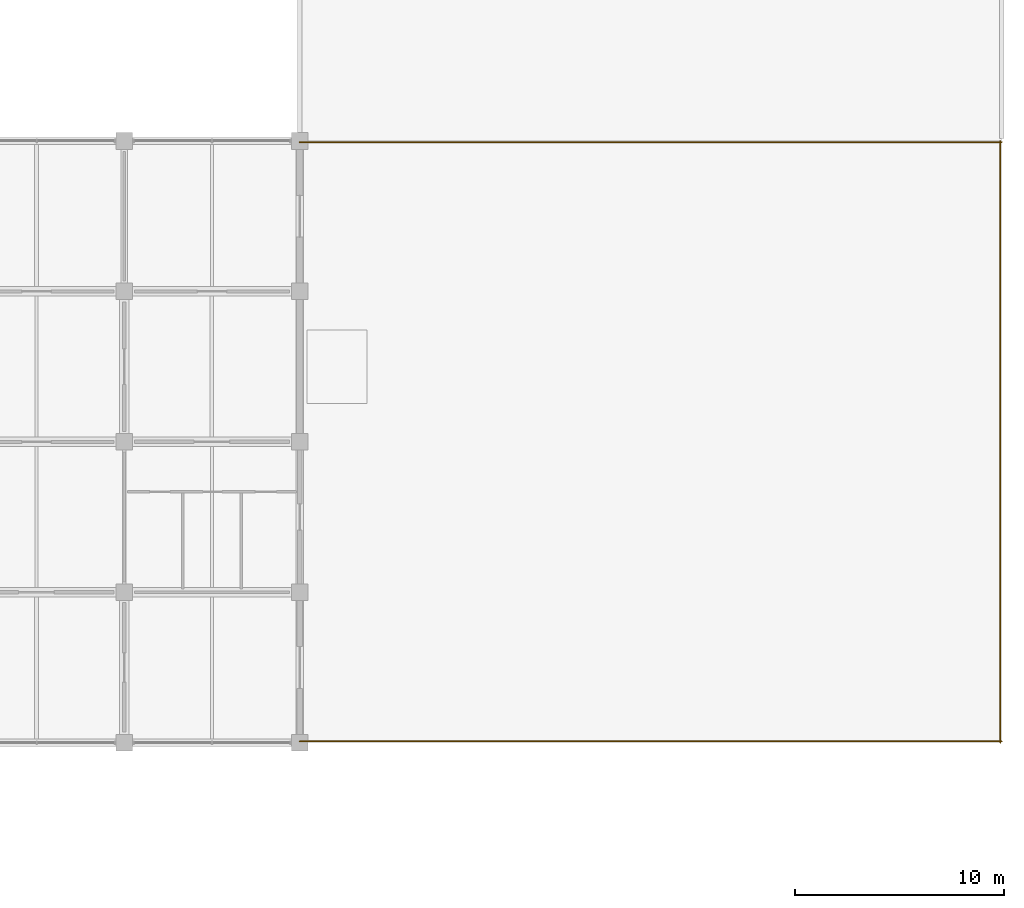
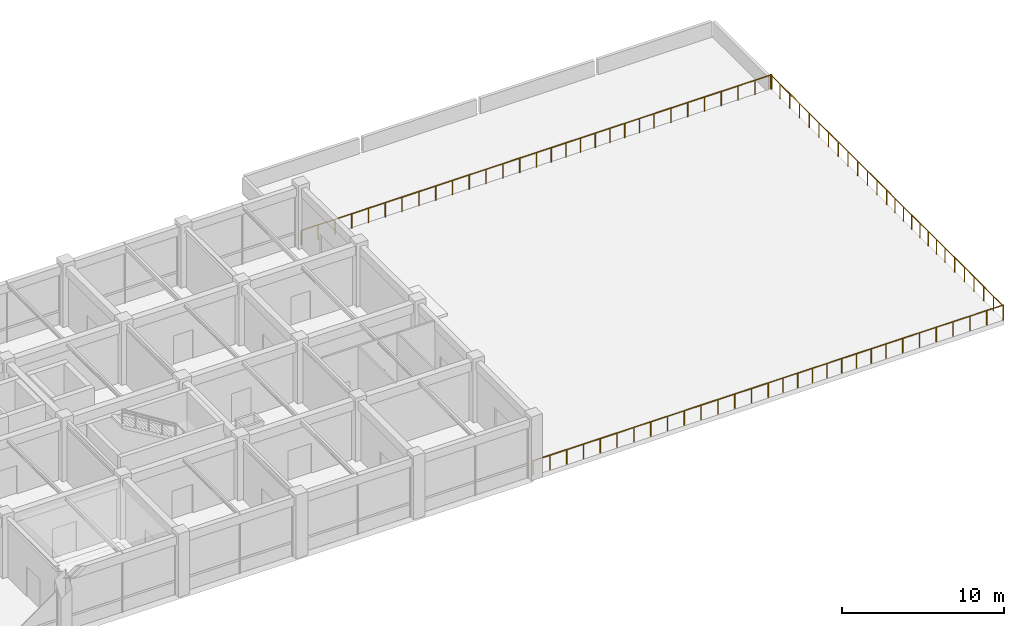
# One storey, part 45 of 45: 12 railings.
"""IFC4 building model written with IfcOpenShell, lengths in metres."""

from ifc_helpers import new_model, si_unit, derived_unit, direction, frame, origin, origin_2d, place, context, subcontext, project, spatial, circle, extrude, material, layer, layer_set, type_object, element, save


model = new_model("IFC4")

# Units and contexts
model_context = context("Model", 3, precision=1e-05, world=origin(), true_north=direction((0.0, 1.0)))
body_context = subcontext(model_context, "Body", "Model", "MODEL_VIEW")
ifc_project = project(units=[si_unit("LENGTHUNIT", "METRE"), si_unit("AREAUNIT", "SQUARE_METRE"), si_unit("VOLUMEUNIT", "CUBIC_METRE"), si_unit("PLANEANGLEUNIT", "RADIAN"), si_unit("MASSUNIT", "GRAM", prefix="KILO"), derived_unit("THERMALTRANSMITTANCEUNIT", [(si_unit("MASSUNIT", "GRAM", prefix="KILO"), 1), (si_unit("TIMEUNIT", "SECOND"), -3), (si_unit("THERMODYNAMICTEMPERATUREUNIT", "KELVIN"), -1)])], contexts=[model_context])

# Site, building, storey
site_placement = place(None, origin())
site = spatial("IfcSite", under=ifc_project, at=site_placement, CompositionType="ELEMENT")
building_placement = place(site_placement, origin())
building = spatial("IfcBuilding", under=site, at=building_placement, Name="Veldstrom Oceanarium and Marine Research Institute", CompositionType="ELEMENT")
storey_placement = place(building_placement, frame((0.0, 0.0, 22.199951171875)))
storey = spatial("IfcBuildingStorey", under=building, at=storey_placement, Name="L04", CompositionType="ELEMENT", Elevation=22.199951171875)

# Railings
ifc_material = material(Name="Duplex Stainless Steel Balustrade", Category="steel")
ifc_layer = layer(ifc_material, 0.06005859375)
ifc_layer_set = layer_set([ifc_layer], Name="ARC-RLG-GR1")
railing_type = type_object("IfcRailingType", Name="ARC-RLG-GR1", PredefinedType="GUARDRAIL", material=ifc_layer_set)
for number, where, name in (
    (1, (117.60009765625, 43.260009765625, 0.0), "Terrace Perimeter Guardrail GR-L04-01"),
    (2, (117.60009765625, 71.93994140625, 0.0), "Terrace Perimeter Guardrail GR-L04-02"),
    (3, (126.0, 43.260009765625, 0.0), "Terrace Perimeter Guardrail GR-L04-03"),
    (4, (126.0, 71.93994140625, 0.0), "Terrace Perimeter Guardrail GR-L04-04"),
):
    element("IfcRailing", number, at=place(storey_placement, frame(where)), inside=storey, type_object=railing_type, Name=name, PredefinedType="GUARDRAIL", context=body_context, shape_type="SweptSolid", body=[
        extrude(circle(Radius=0.02392578125, at=origin_2d()), frame((0.0, 0.0, 1.09619140625), z_axis=(1.0, 0.0, 0.0), x_axis=(0.0, 1.0, 0.0)), (0.0, 0.0, 1.0), 8.39990234375),
        extrude(circle(Radius=0.02099609375, at=origin_2d()), origin(), (0.0, 0.0, 1.0), 1.072021484375),
        extrude(circle(Radius=0.02099609375, at=origin_2d()), frame((1.199951171875, 0.0, 0.0)), (0.0, 0.0, 1.0), 1.072021484375),
        extrude(circle(Radius=0.02099609375, at=origin_2d()), frame((2.39990234375, 0.0, 0.0)), (0.0, 0.0, 1.0), 1.072021484375),
        extrude(circle(Radius=0.02099609375, at=origin_2d()), frame((3.599853515625, 0.0, 0.0)), (0.0, 0.0, 1.0), 1.072021484375),
        extrude(circle(Radius=0.02099609375, at=origin_2d()), frame((4.800048828125, 0.0, 0.0)), (0.0, 0.0, 1.0), 1.072021484375),
        extrude(circle(Radius=0.02099609375, at=origin_2d()), frame((6.0, 0.0, 0.0)), (0.0, 0.0, 1.0), 1.072021484375),
        extrude(circle(Radius=0.02099609375, at=origin_2d()), frame((7.199951171875, 0.0, 0.0)), (0.0, 0.0, 1.0), 1.072021484375),
        extrude(circle(Radius=0.02099609375, at=origin_2d()), frame((8.39990234375, 0.0, 0.0)), (0.0, 0.0, 1.0), 1.072021484375),
    ])
for number, where, name in (
    (5, (134.39990234375, 43.260009765625, 0.0), "Terrace Perimeter Guardrail GR-L04-05"),
    (6, (134.39990234375, 71.93994140625, 0.0), "Terrace Perimeter Guardrail GR-L04-06"),
):
    element("IfcRailing", number, at=place(storey_placement, frame(where)), inside=storey, type_object=railing_type, Name=name, PredefinedType="GUARDRAIL", context=body_context, shape_type="SweptSolid", body=[
        extrude(circle(Radius=0.02392578125, at=origin_2d()), frame((0.0, 0.0, 1.09619140625), z_axis=(1.0, 0.0, 0.0), x_axis=(0.0, 1.0, 0.0)), (0.0, 0.0, 1.0), 8.400146484375),
        extrude(circle(Radius=0.02099609375, at=origin_2d()), origin(), (0.0, 0.0, 1.0), 1.072021484375),
        extrude(circle(Radius=0.02099609375, at=origin_2d()), frame((1.050048828125, 0.0, 0.0)), (0.0, 0.0, 1.0), 1.072021484375),
        extrude(circle(Radius=0.02099609375, at=origin_2d()), frame((2.10009765625, 0.0, 0.0)), (0.0, 0.0, 1.0), 1.072021484375),
        extrude(circle(Radius=0.02099609375, at=origin_2d()), frame((3.150146484375, 0.0, 0.0)), (0.0, 0.0, 1.0), 1.072021484375),
        extrude(circle(Radius=0.02099609375, at=origin_2d()), frame((4.2001953125, 0.0, 0.0)), (0.0, 0.0, 1.0), 1.072021484375),
        extrude(circle(Radius=0.02099609375, at=origin_2d()), frame((5.25, 0.0, 0.0)), (0.0, 0.0, 1.0), 1.072021484375),
        extrude(circle(Radius=0.02099609375, at=origin_2d()), frame((6.300048828125, 0.0, 0.0)), (0.0, 0.0, 1.0), 1.072021484375),
        extrude(circle(Radius=0.02099609375, at=origin_2d()), frame((7.35009765625, 0.0, 0.0)), (0.0, 0.0, 1.0), 1.072021484375),
        extrude(circle(Radius=0.02099609375, at=origin_2d()), frame((8.400146484375, 0.0, 0.0)), (0.0, 0.0, 1.0), 1.072021484375),
    ])
railing_1_placement = place(storey_placement, frame((142.800048828125, 43.260009765625, 0.0)))
element("IfcRailing", 7, at=railing_1_placement, inside=storey, type_object=railing_type, Name="Terrace Perimeter Guardrail GR-L04-07", PredefinedType="GUARDRAIL", context=body_context, shape_type="SweptSolid", body=[
    extrude(circle(Radius=0.02392578125, at=origin_2d()), frame((0.0, 0.0, 1.09619140625), z_axis=(1.0, 0.0, 0.0), x_axis=(0.0, 1.0, 0.0)), (0.0, 0.0, 1.0), 8.39990234375),
    extrude(circle(Radius=0.02099609375, at=origin_2d()), origin(), (0.0, 0.0, 1.0), 1.072021484375),
    extrude(circle(Radius=0.02099609375, at=origin_2d()), frame((1.199951171875, 0.0, 0.0)), (0.0, 0.0, 1.0), 1.072021484375),
    extrude(circle(Radius=0.02099609375, at=origin_2d()), frame((2.39990234375, 0.0, 0.0)), (0.0, 0.0, 1.0), 1.072021484375),
    extrude(circle(Radius=0.02099609375, at=origin_2d()), frame((3.599853515625, 0.0, 0.0)), (0.0, 0.0, 1.0), 1.072021484375),
    extrude(circle(Radius=0.02099609375, at=origin_2d()), frame((4.800048828125, 0.0, 0.0)), (0.0, 0.0, 1.0), 1.072021484375),
    extrude(circle(Radius=0.02099609375, at=origin_2d()), frame((6.0, 0.0, 0.0)), (0.0, 0.0, 1.0), 1.072021484375),
    extrude(circle(Radius=0.02099609375, at=origin_2d()), frame((7.199951171875, 0.0, 0.0)), (0.0, 0.0, 1.0), 1.072021484375),
    extrude(circle(Radius=0.02099609375, at=origin_2d()), frame((8.39990234375, 0.0, 0.0)), (0.0, 0.0, 1.0), 1.072021484375),
])
railing_2_placement = place(storey_placement, frame((151.139892578125, 43.199951171875, 0.0)))
element("IfcRailing", 8, at=railing_2_placement, inside=storey, type_object=railing_type, Name="Terrace Perimeter Guardrail GR-L04-08", PredefinedType="GUARDRAIL", context=body_context, shape_type="SweptSolid", body=[
    extrude(circle(Radius=0.02392578125, at=origin_2d()), frame((0.0, 0.0, 1.09619140625), z_axis=(0.0, 1.0, 0.0), x_axis=(-1.0, 0.0, 0.0)), (0.0, 0.0, 1.0), 7.199951171875),
    extrude(circle(Radius=0.02099609375, at=origin_2d()), origin(), (0.0, 0.0, 1.0), 1.072021484375),
    extrude(circle(Radius=0.02099609375, at=origin_2d()), frame((0.0, 1.199951171875, 0.0)), (0.0, 0.0, 1.0), 1.072021484375),
    extrude(circle(Radius=0.02099609375, at=origin_2d()), frame((0.0, 2.39990234375, 0.0)), (0.0, 0.0, 1.0), 1.072021484375),
    extrude(circle(Radius=0.02099609375, at=origin_2d()), frame((0.0, 3.60009765625, 0.0)), (0.0, 0.0, 1.0), 1.072021484375),
    extrude(circle(Radius=0.02099609375, at=origin_2d()), frame((0.0, 4.800048828125, 0.0)), (0.0, 0.0, 1.0), 1.072021484375),
    extrude(circle(Radius=0.02099609375, at=origin_2d()), frame((0.0, 6.0, 0.0)), (0.0, 0.0, 1.0), 1.072021484375),
    extrude(circle(Radius=0.02099609375, at=origin_2d()), frame((0.0, 7.199951171875, 0.0)), (0.0, 0.0, 1.0), 1.072021484375),
])
railing_3_placement = place(storey_placement, frame((151.139892578125, 50.39990234375, 0.0)))
element("IfcRailing", 9, at=railing_3_placement, inside=storey, type_object=railing_type, Name="Terrace Perimeter Guardrail GR-L04-09", PredefinedType="GUARDRAIL", context=body_context, shape_type="SweptSolid", body=[
    extrude(circle(Radius=0.02392578125, at=origin_2d()), frame((0.0, 0.0, 1.09619140625), z_axis=(0.0, 1.0, 0.0), x_axis=(-1.0, 0.0, 0.0)), (0.0, 0.0, 1.0), 7.2001953125),
    extrude(circle(Radius=0.02099609375, at=origin_2d()), origin(), (0.0, 0.0, 1.0), 1.072021484375),
    extrude(circle(Radius=0.02099609375, at=origin_2d()), frame((0.0, 1.028564453125, 0.0)), (0.0, 0.0, 1.0), 1.072021484375),
    extrude(circle(Radius=0.02099609375, at=origin_2d()), frame((0.0, 2.05712890625, 0.0)), (0.0, 0.0, 1.0), 1.072021484375),
    extrude(circle(Radius=0.02099609375, at=origin_2d()), frame((0.0, 3.085693359375, 0.0)), (0.0, 0.0, 1.0), 1.072021484375),
    extrude(circle(Radius=0.02099609375, at=origin_2d()), frame((0.0, 4.114501953125, 0.0)), (0.0, 0.0, 1.0), 1.072021484375),
    extrude(circle(Radius=0.02099609375, at=origin_2d()), frame((0.0, 5.14306640625, 0.0)), (0.0, 0.0, 1.0), 1.072021484375),
    extrude(circle(Radius=0.02099609375, at=origin_2d()), frame((0.0, 6.171630859375, 0.0)), (0.0, 0.0, 1.0), 1.072021484375),
    extrude(circle(Radius=0.02099609375, at=origin_2d()), frame((0.0, 7.2001953125, 0.0)), (0.0, 0.0, 1.0), 1.072021484375),
])
railing_4_placement = place(storey_placement, frame((151.139892578125, 57.60009765625, 0.0)))
element("IfcRailing", 10, at=railing_4_placement, inside=storey, type_object=railing_type, Name="Terrace Perimeter Guardrail GR-L04-10", PredefinedType="GUARDRAIL", context=body_context, shape_type="SweptSolid", body=[
    extrude(circle(Radius=0.02392578125, at=origin_2d()), frame((0.0, 0.0, 1.09619140625), z_axis=(0.0, 1.0, 0.0), x_axis=(-1.0, 0.0, 0.0)), (0.0, 0.0, 1.0), 7.199951171875),
    extrude(circle(Radius=0.02099609375, at=origin_2d()), origin(), (0.0, 0.0, 1.0), 1.072021484375),
    extrude(circle(Radius=0.02099609375, at=origin_2d()), frame((0.0, 1.199951171875, 0.0)), (0.0, 0.0, 1.0), 1.072021484375),
    extrude(circle(Radius=0.02099609375, at=origin_2d()), frame((0.0, 2.39990234375, 0.0)), (0.0, 0.0, 1.0), 1.072021484375),
    extrude(circle(Radius=0.02099609375, at=origin_2d()), frame((0.0, 3.60009765625, 0.0)), (0.0, 0.0, 1.0), 1.072021484375),
    extrude(circle(Radius=0.02099609375, at=origin_2d()), frame((0.0, 4.800048828125, 0.0)), (0.0, 0.0, 1.0), 1.072021484375),
    extrude(circle(Radius=0.02099609375, at=origin_2d()), frame((0.0, 6.0, 0.0)), (0.0, 0.0, 1.0), 1.072021484375),
    extrude(circle(Radius=0.02099609375, at=origin_2d()), frame((0.0, 7.199951171875, 0.0)), (0.0, 0.0, 1.0), 1.072021484375),
])
railing_5_placement = place(storey_placement, frame((142.800048828125, 71.93994140625, 0.0)))
element("IfcRailing", 11, at=railing_5_placement, inside=storey, type_object=railing_type, Name="Terrace Perimeter Guardrail GR-L04-11", PredefinedType="GUARDRAIL", context=body_context, shape_type="SweptSolid", body=[
    extrude(circle(Radius=0.02392578125, at=origin_2d()), frame((0.0, 0.0, 1.09619140625), z_axis=(1.0, 0.0, 0.0), x_axis=(0.0, 1.0, 0.0)), (0.0, 0.0, 1.0), 8.39990234375),
    extrude(circle(Radius=0.02099609375, at=origin_2d()), origin(), (0.0, 0.0, 1.0), 1.072021484375),
    extrude(circle(Radius=0.02099609375, at=origin_2d()), frame((1.199951171875, 0.0, 0.0)), (0.0, 0.0, 1.0), 1.072021484375),
    extrude(circle(Radius=0.02099609375, at=origin_2d()), frame((2.39990234375, 0.0, 0.0)), (0.0, 0.0, 1.0), 1.072021484375),
    extrude(circle(Radius=0.02099609375, at=origin_2d()), frame((3.599853515625, 0.0, 0.0)), (0.0, 0.0, 1.0), 1.072021484375),
    extrude(circle(Radius=0.02099609375, at=origin_2d()), frame((4.800048828125, 0.0, 0.0)), (0.0, 0.0, 1.0), 1.072021484375),
    extrude(circle(Radius=0.02099609375, at=origin_2d()), frame((6.0, 0.0, 0.0)), (0.0, 0.0, 1.0), 1.072021484375),
    extrude(circle(Radius=0.02099609375, at=origin_2d()), frame((7.199951171875, 0.0, 0.0)), (0.0, 0.0, 1.0), 1.072021484375),
    extrude(circle(Radius=0.02099609375, at=origin_2d()), frame((8.39990234375, 0.0, 0.0)), (0.0, 0.0, 1.0), 1.072021484375),
])
railing_6_placement = place(storey_placement, frame((151.139892578125, 64.800048828125, 0.0)))
element("IfcRailing", 12, at=railing_6_placement, inside=storey, type_object=railing_type, Name="Terrace Perimeter Guardrail GR-L04-12", PredefinedType="GUARDRAIL", context=body_context, shape_type="SweptSolid", body=[
    extrude(circle(Radius=0.02392578125, at=origin_2d()), frame((0.0, 0.0, 1.09619140625), z_axis=(0.0, 1.0, 0.0), x_axis=(-1.0, 0.0, 0.0)), (0.0, 0.0, 1.0), 7.199951171875),
    extrude(circle(Radius=0.02099609375, at=origin_2d()), origin(), (0.0, 0.0, 1.0), 1.072021484375),
    extrude(circle(Radius=0.02099609375, at=origin_2d()), frame((0.0, 1.199951171875, 0.0)), (0.0, 0.0, 1.0), 1.072021484375),
    extrude(circle(Radius=0.02099609375, at=origin_2d()), frame((0.0, 2.39990234375, 0.0)), (0.0, 0.0, 1.0), 1.072021484375),
    extrude(circle(Radius=0.02099609375, at=origin_2d()), frame((0.0, 3.60009765625, 0.0)), (0.0, 0.0, 1.0), 1.072021484375),
    extrude(circle(Radius=0.02099609375, at=origin_2d()), frame((0.0, 4.800048828125, 0.0)), (0.0, 0.0, 1.0), 1.072021484375),
    extrude(circle(Radius=0.02099609375, at=origin_2d()), frame((0.0, 6.0, 0.0)), (0.0, 0.0, 1.0), 1.072021484375),
    extrude(circle(Radius=0.02099609375, at=origin_2d()), frame((0.0, 7.199951171875, 0.0)), (0.0, 0.0, 1.0), 1.072021484375),
])

save(model, "model.ifc")
